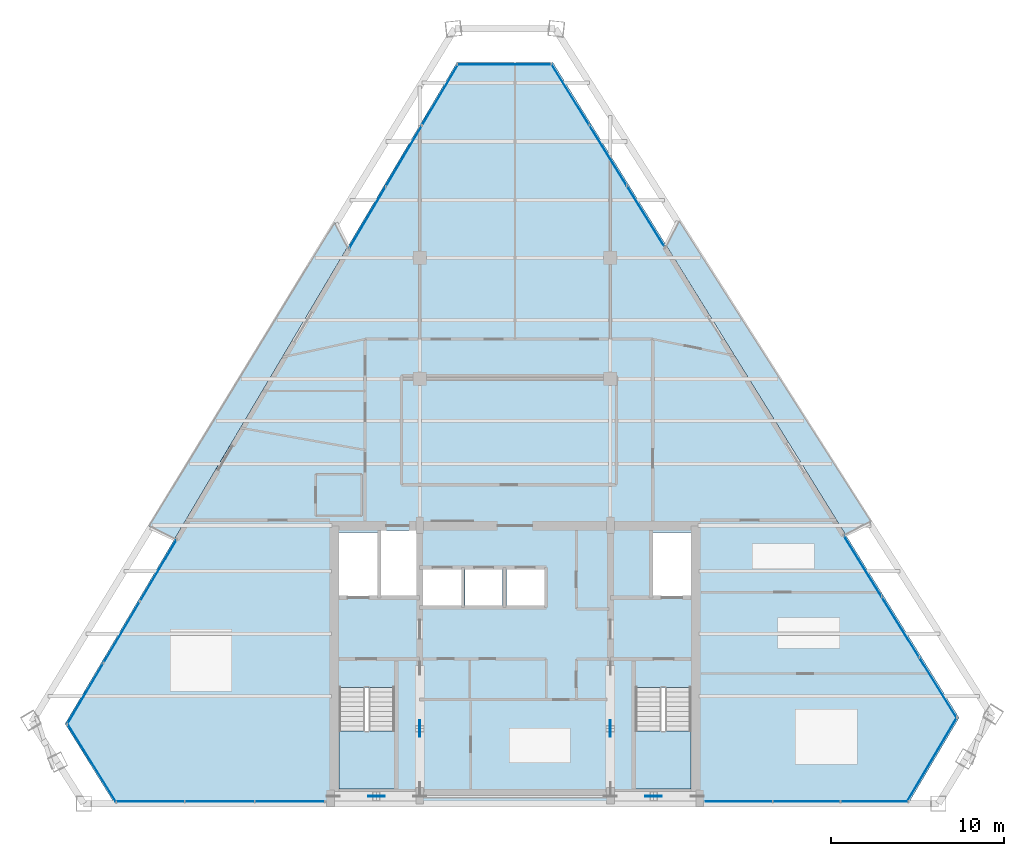
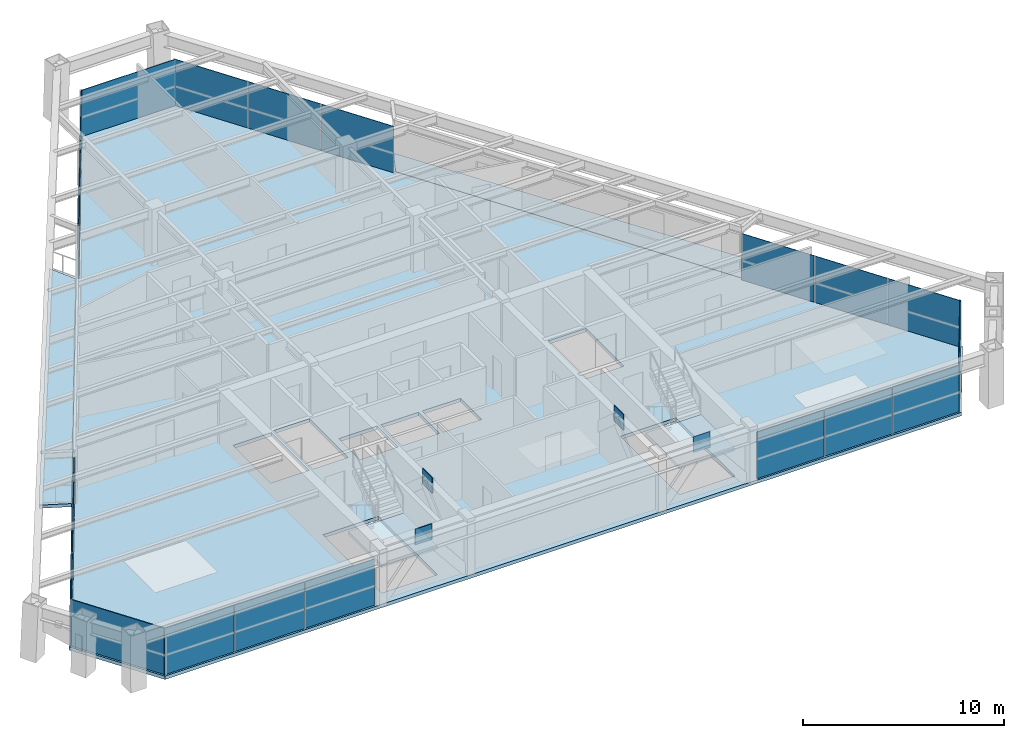
# One storey, part 7 of 12: 25 plates, 5 slabs, 11 elements without a shape of their own.
"""IFC4 building model written with IfcOpenShell, lengths in metres."""

from ifc_helpers import new_model, si_unit, direction, frame, origin, origin_2d, place, context, subcontext, project, spatial, polyline, rectangle, outline, extrude, source, transform, mapped, material, layer, layer_set, type_object, element, aggregate, save


model = new_model("IFC4")

# Units and contexts
model_context = context("Model", 3, precision=1e-05, world=origin(), true_north=direction((0.0, 1.0)))
body_context = subcontext(model_context, "Body", "Model", "MODEL_VIEW")
ifc_project = project(units=[si_unit("LENGTHUNIT", "METRE"), si_unit("AREAUNIT", "SQUARE_METRE"), si_unit("VOLUMEUNIT", "CUBIC_METRE"), si_unit("PLANEANGLEUNIT", "RADIAN"), si_unit("MASSUNIT", "GRAM", prefix="KILO")], contexts=[model_context])

# Site, building, storey
site_placement = place(None, origin())
site = spatial("IfcSite", under=ifc_project, at=site_placement, CompositionType="ELEMENT")
building_placement = place(site_placement, origin())
building = spatial("IfcBuilding", under=site, at=building_placement, Name="Varnakhor Terracotta Tower", CompositionType="ELEMENT")
storey_placement = place(building_placement, frame((0.0, 0.0, 233.800048828125)))
storey = spatial("IfcBuildingStorey", under=building, at=storey_placement, Name="L60", CompositionType="ELEMENT", Elevation=233.800048828125)

# Slab
ifc_material_1 = material(Name="Concrete C40/50", Category="concrete")
ifc_layer_1 = layer(ifc_material_1, 0.2099609375, Name="Concrete C40/50")
ifc_layer_set_1 = layer_set([ifc_layer_1], Name="Concrete C40/50")
slab_type_1 = type_object("IfcSlabType", Name="SLB-HTL-210", PredefinedType="FLOOR", material=ifc_layer_set_1)
slab_1_placement = place(storey_placement, frame((0.0, 0.0, -0.2099609375)))
element("IfcSlab", 1, at=slab_1_placement, inside=storey, type_object=slab_type_1, Name="L60 Structural Floor Slab", PredefinedType="FLOOR", context=body_context, shape_type="SweptSolid", body=[
    extrude(outline(polyline([(-25.95849609375, 4.608154296875), (-3.354736328125, 42.75830078125), (2.180908203125, 42.75830078125), (25.618896484375, 4.951904296875), (22.684814453125, 0.0), (-23.101806640625, 0.0), (-25.95849609375, 4.608154296875)]), holes=[polyline([(-6.949951171875, 0.85009765625), (-6.949951171875, 6.695068359375), (-10.14990234375, 6.695068359375), (-10.14990234375, 0.85009765625), (-6.949951171875, 0.85009765625)]), polyline([(10.14990234375, 0.85009765625), (10.14990234375, 6.695068359375), (6.949951171875, 6.695068359375), (6.949951171875, 0.85009765625), (10.14990234375, 0.85009765625)]), polyline([(-3.10009765625, 11.419921875), (-3.10009765625, 13.52001953125), (-5.300048828125, 13.52001953125), (-5.300048828125, 11.419921875), (-3.10009765625, 11.419921875)]), polyline([(-0.719970703125, 11.419921875), (-0.719970703125, 13.52001953125), (-2.8798828125, 13.52001953125), (-2.8798828125, 11.419921875), (-0.719970703125, 11.419921875)]), polyline([(1.699951171875, 11.419921875), (1.699951171875, 13.52001953125), (-0.5, 13.52001953125), (-0.5, 11.419921875), (1.699951171875, 11.419921875)]), polyline([(-7.949951171875, 11.8798828125), (-7.949951171875, 15.64990234375), (-10.14990234375, 15.64990234375), (-10.14990234375, 11.8798828125), (-7.949951171875, 11.8798828125)]), polyline([(10.14990234375, 11.8798828125), (10.14990234375, 15.64990234375), (7.949951171875, 15.64990234375), (7.949951171875, 11.8798828125), (10.14990234375, 11.8798828125)]), polyline([(-5.699951171875, 11.8798828125), (-5.699951171875, 15.75), (-7.72998046875, 15.75), (-7.72998046875, 11.8798828125), (-5.699951171875, 11.8798828125)])]), origin(), (0.0, 0.0, 1.0), 0.2099609375),
])

# Stair, slab
stair_type = type_object("IfcStairType", Name="STR-CORE-HOTEL-1500", PredefinedType="HALF_TURN_STAIR", material=ifc_material_1)
stair_1_placement = place(storey_placement, origin())
stair_1 = element("IfcStair", 2, at=stair_1_placement, inside=storey, type_object=stair_type, Name="L60 Core Exit Stair ST-1", PredefinedType="HALF_TURN_STAIR")
ifc_layer_2 = layer(ifc_material_1, 0.179931640625, Name="Concrete C40/50")
ifc_layer_set_2 = layer_set([ifc_layer_2], Name="Concrete C40/50")
slab_type_2 = type_object("IfcSlabType", Name="SLB-LANDING-180", PredefinedType="LANDING", material=ifc_layer_set_2)
slab_2_placement = place(storey_placement, frame((0.0, 0.0, 1.52490234375)))
slab_2 = element("IfcSlab", 3, at=slab_2_placement, type_object=slab_type_2, Name="ST-1 landing 1", PredefinedType="LANDING", context=body_context, shape_type="SweptSolid", body=[
    extrude(outline(polyline([(-10.14990234375, 4.18994140625), (-10.14990234375, 0.85009765625), (-6.949951171875, 0.85009765625), (-6.949951171875, 4.18994140625), (-10.14990234375, 4.18994140625)])), origin(), (0.0, 0.0, 1.0), 0.199951171875),
])
aggregate(stair_1, [slab_2])

stair_2_placement = place(storey_placement, origin())
stair_2 = element("IfcStair", 4, at=stair_2_placement, inside=storey, type_object=stair_type, Name="L60 Core Exit Stair ST-2", PredefinedType="HALF_TURN_STAIR")
slab_3_placement = place(storey_placement, frame((0.0, 0.0, 1.52490234375)))
slab_3 = element("IfcSlab", 5, at=slab_3_placement, type_object=slab_type_2, Name="ST-2 landing 1", PredefinedType="LANDING", context=body_context, shape_type="SweptSolid", body=[
    extrude(outline(polyline([(6.949951171875, 4.18994140625), (6.949951171875, 0.85009765625), (10.14990234375, 0.85009765625), (10.14990234375, 4.18994140625), (6.949951171875, 4.18994140625)])), origin(), (0.0, 0.0, 1.0), 0.199951171875),
])
aggregate(stair_2, [slab_3])

# Slabs
ifc_layer_3 = layer(ifc_material_1, 0.195068359375, Name="Concrete C40/50")
ifc_layer_set_3 = layer_set([ifc_layer_3], Name="Concrete C40/50")
slab_type_3 = type_object("IfcSlabType", Name="SLB-LOGGIA-EXT-195", PredefinedType="FLOOR", material=ifc_layer_set_3)
slab_4_placement = place(storey_placement, frame((0.0, 0.0, -0.195068359375)))
element("IfcSlab", 6, at=slab_4_placement, inside=storey, type_object=slab_type_3, Name="L60 E Recessed Outdoor Loggia Slab", PredefinedType="FLOOR", context=body_context, shape_type="SweptSolid", body=[
    extrude(outline(polyline([(9.44775390625, 33.634033203125), (20.53369140625, 16.24365234375), (19.05615234375, 15.53759765625), (17.03564453125, 18.796875), (8.743408203125, 32.17236328125), (9.44775390625, 33.634033203125)])), origin(), (0.0, 0.0, 1.0), 0.195068359375),
])
slab_5_placement = place(storey_placement, frame((0.0, 0.0, -0.195068359375)))
element("IfcSlab", 7, at=slab_5_placement, inside=storey, type_object=slab_type_3, Name="L60 W Recessed Outdoor Loggia Slab", PredefinedType="FLOOR", context=body_context, shape_type="SweptSolid", body=[
    extrude(outline(polyline([(-21.11865234375, 15.98486328125), (-10.392578125, 33.533447265625), (-9.683837890625, 32.076171875), (-19.62939453125, 15.2900390625), (-21.11865234375, 15.98486328125)])), origin(), (0.0, 0.0, 1.0), 0.195068359375),
])

# Plates
ifc_material_2 = material(Name="Steel S460", Category="steel")
ifc_layer_4 = layer(ifc_material_2, 0.050048828125, Name="Steel S460")
ifc_layer_set_4 = layer_set([ifc_layer_4], Name="Steel S460")
plate_type_1 = type_object("IfcPlateType", Name="PLT-GUSSET-50", PredefinedType="USERDEFINED", material=ifc_layer_set_4)
shared_shape_1 = source(origin(), body_context, "Body", "SweptSolid", [
    extrude(rectangle(XDim=0.949951171875, YDim=0.044921875, at=origin_2d()), origin(), (0.0, 0.0, 1.0), 0.949951171875),
])
for number, where, z_axis, x_axis, name in (
    (8, (-8.0, 0.419921875, 2.61474609375), (0.0, 0.0, 1.0), (1.0, 0.0, 0.0), "L60 Core Brace Apex Gusset CSW"),
    (9, (8.0, 0.419921875, 2.61474609375), (0.0, 0.0, 1.0), (1.0, 0.0, 0.0), "L60 Core Brace Apex Gusset CSE"),
    (10, (-5.5, 4.324951171875, 2.61474609375), (0.0, 0.0, 1.0), (0.0, 1.0, 0.0), "L60 Core Brace Apex Gusset CWW"),
    (11, (5.5, 4.324951171875, 2.61474609375), (0.0, 0.0, 1.0), (0.0, 1.0, 0.0), "L60 Core Brace Apex Gusset CWE"),
):
    element("IfcPlate", number, at=place(storey_placement, frame(where, z_axis=z_axis, x_axis=x_axis)), inside=storey, type_object=plate_type_1, Name=name, ObjectType="GUSSET PLATE", PredefinedType="USERDEFINED", context=body_context, shape_type="MappedRepresentation", body=[
        mapped(shared_shape_1, transform((0.0, 0.0, 0.0), scale=1.0)),
    ])

# Curtain wall, plates
ifc_material_3 = material(Name="Anodised Aluminium Curtain Wall System", Category="aluminium")
curtain_wall_type = type_object("IfcCurtainWallType", Name="CW-SYS-HOTEL-LOGGIA", PredefinedType="NOTDEFINED", material=ifc_material_3)
curtain_wall_1_placement = place(storey_placement, origin())
curtain_wall_1 = element("IfcCurtainWall", 12, at=curtain_wall_1_placement, inside=storey, type_object=curtain_wall_type, Name="L60 W Facet Curtain Wall 1", PredefinedType="NOTDEFINED")
ifc_material_4 = material(Name="Solar-Control Low-E Insulated Glass Panel", Category="glass")
ifc_layer_5 = layer(ifc_material_4, 0.033935546875, Name="Solar-Control Low-E Insulated Glass Panel")
ifc_layer_set_5 = layer_set([ifc_layer_5], Name="Solar-Control Low-E Insulated Glass Panel")
plate_type_2 = type_object("IfcPlateType", Name="CWP-04", PredefinedType="CURTAIN_PANEL", material=ifc_layer_set_5)
shared_shape_2 = source(origin(), body_context, "Body", "SweptSolid", [
    extrude(rectangle(XDim=4.078857421875, YDim=0.035888671875, at=origin_2d()), origin(), (0.0, 0.0, 1.0), 2.820068359375),
])
plate_1_placement = place(storey_placement, frame((-24.790283203125, 6.344482421875, 0.0), z_axis=(0.0, 0.0, 1.0), x_axis=(0.509747315176, 0.860324168364, 0.0)))
plate_1 = element("IfcPlate", 13, at=plate_1_placement, type_object=plate_type_2, Name="L60 W Facet Curtain Wall 1 Glazed Panel 1", PredefinedType="CURTAIN_PANEL", context=body_context, shape_type="MappedRepresentation", body=[
    mapped(shared_shape_2, transform((0.0, 0.0, 0.0), scale=1.0)),
])
plate_2_placement = place(storey_placement, frame((-22.69091796875, 9.887939453125, 0.0), z_axis=(0.0, 0.0, 1.0), x_axis=(0.509747315176, 0.860324168364, 0.0)))
plate_2 = element("IfcPlate", 14, at=plate_2_placement, type_object=plate_type_2, Name="L60 W Facet Curtain Wall 1 Glazed Panel 2", PredefinedType="CURTAIN_PANEL", context=body_context, shape_type="MappedRepresentation", body=[
    mapped(shared_shape_2, transform((0.0, 0.0, 0.0), scale=1.0)),
])

curtain_wall_2_placement = place(storey_placement, origin())
curtain_wall_2 = element("IfcCurtainWall", 15, at=curtain_wall_2_placement, inside=storey, type_object=curtain_wall_type, Name="L60 W Facet Curtain Wall 2", PredefinedType="NOTDEFINED")
plate_3_placement = place(storey_placement, frame((-8.515380859375, 33.8125, 0.0), z_axis=(0.0, 0.0, 1.0), x_axis=(0.509747315176, 0.860324168364, 0.0)))
plate_3 = element("IfcPlate", 16, at=plate_3_placement, type_object=plate_type_2, Name="L60 W Facet Curtain Wall 2 Glazed Panel 1", PredefinedType="CURTAIN_PANEL", context=body_context, shape_type="MappedRepresentation", body=[
    mapped(shared_shape_2, transform((0.0, 0.0, 0.0), scale=1.0)),
])
plate_4_placement = place(storey_placement, frame((-6.416015625, 37.35595703125, 0.0), z_axis=(0.0, 0.0, 1.0), x_axis=(0.509747315176, 0.860324168364, 0.0)))
plate_4 = element("IfcPlate", 17, at=plate_4_placement, type_object=plate_type_2, Name="L60 W Facet Curtain Wall 2 Glazed Panel 2", PredefinedType="CURTAIN_PANEL", context=body_context, shape_type="MappedRepresentation", body=[
    mapped(shared_shape_2, transform((0.0, 0.0, 0.0), scale=1.0)),
])

# Plate
shared_shape_3 = source(origin(), body_context, "Body", "SweptSolid", [
    extrude(rectangle(XDim=4.07861328125, YDim=0.035888671875, at=origin_2d()), origin(), (0.0, 0.0, 1.0), 2.820068359375),
])
plate_5_placement = place(storey_placement, frame((-20.59130859375, 13.431396484375, 0.0), z_axis=(0.0, 0.0, 1.0), x_axis=(0.509747315176, 0.860324168364, 0.0)))
plate_5 = element("IfcPlate", 18, at=plate_5_placement, type_object=plate_type_2, Name="L60 W Facet Curtain Wall 1 Glazed Panel 3", PredefinedType="CURTAIN_PANEL", context=body_context, shape_type="MappedRepresentation", body=[
    mapped(shared_shape_3, transform((0.0, 0.0, 0.0), scale=1.0)),
])

aggregate(curtain_wall_1, [plate_1, plate_2, plate_5])

plate_6_placement = place(storey_placement, frame((-4.31640625, 40.8994140625, 0.0), z_axis=(0.0, 0.0, 1.0), x_axis=(0.509747315176, 0.860324168364, 0.0)))
plate_6 = element("IfcPlate", 19, at=plate_6_placement, type_object=plate_type_2, Name="L60 W Facet Curtain Wall 2 Glazed Panel 3", PredefinedType="CURTAIN_PANEL", context=body_context, shape_type="MappedRepresentation", body=[
    mapped(shared_shape_3, transform((0.0, 0.0, 0.0), scale=1.0)),
])

aggregate(curtain_wall_2, [plate_3, plate_4, plate_6])

# Curtain wall, plate
curtain_wall_3_placement = place(storey_placement, origin())
curtain_wall_3 = element("IfcCurtainWall", 20, at=curtain_wall_3_placement, inside=storey, type_object=curtain_wall_type, Name="L60 Facet Curtain Wall 2", PredefinedType="NOTDEFINED")
shared_shape_4 = source(origin(), body_context, "Body", "SweptSolid", [
    extrude(rectangle(XDim=5.435546875, YDim=0.035888671875, at=origin_2d()), origin(), (0.0, 0.0, 1.0), 2.820068359375),
])
plate_7_placement = place(storey_placement, frame((-0.5869140625, 42.63818359375, 0.0), z_axis=(0.0, 0.0, 1.0), x_axis=(1.0, 0.0, 0.0)))
plate_7 = element("IfcPlate", 21, at=plate_7_placement, type_object=plate_type_2, Name="L60 Facet Curtain Wall 2 Glazed Panel 1", PredefinedType="CURTAIN_PANEL", context=body_context, shape_type="MappedRepresentation", body=[
    mapped(shared_shape_4, transform((0.0, 0.0, 0.0), scale=1.0)),
])
aggregate(curtain_wall_3, [plate_7])

# Curtain wall, plates
curtain_wall_4_placement = place(storey_placement, origin())
curtain_wall_4 = element("IfcCurtainWall", 22, at=curtain_wall_4_placement, inside=storey, type_object=curtain_wall_type, Name="L60 E Facet Curtain Wall 1", PredefinedType="NOTDEFINED")
shared_shape_5 = source(origin(), body_context, "Body", "SweptSolid", [
    extrude(rectangle(XDim=4.091796875, YDim=0.035888671875, at=origin_2d()), origin(), (0.0, 0.0, 1.0), 2.820068359375),
])
plate_8_placement = place(storey_placement, frame((3.18310546875, 40.913818359375, 0.0), z_axis=(0.0, 0.0, 1.0), x_axis=(0.526911294497, -0.849920283163, 0.0)))
plate_8 = element("IfcPlate", 23, at=plate_8_placement, type_object=plate_type_2, Name="L60 E Facet Curtain Wall 1 Glazed Panel 1", PredefinedType="CURTAIN_PANEL", context=body_context, shape_type="MappedRepresentation", body=[
    mapped(shared_shape_5, transform((0.0, 0.0, 0.0), scale=1.0)),
])
plate_9_placement = place(storey_placement, frame((5.360107421875, 37.402099609375, 0.0), z_axis=(0.0, 0.0, 1.0), x_axis=(0.526911294497, -0.849920283163, 0.0)))
plate_9 = element("IfcPlate", 24, at=plate_9_placement, type_object=plate_type_2, Name="L60 E Facet Curtain Wall 1 Glazed Panel 2", PredefinedType="CURTAIN_PANEL", context=body_context, shape_type="MappedRepresentation", body=[
    mapped(shared_shape_5, transform((0.0, 0.0, 0.0), scale=1.0)),
])
plate_10_placement = place(storey_placement, frame((7.537109375, 33.890380859375, 0.0), z_axis=(0.0, 0.0, 1.0), x_axis=(0.526911294497, -0.849920283163, 0.0)))
plate_10 = element("IfcPlate", 25, at=plate_10_placement, type_object=plate_type_2, Name="L60 E Facet Curtain Wall 1 Glazed Panel 3", PredefinedType="CURTAIN_PANEL", context=body_context, shape_type="MappedRepresentation", body=[
    mapped(shared_shape_5, transform((0.0, 0.0, 0.0), scale=1.0)),
])
aggregate(curtain_wall_4, [plate_8, plate_9, plate_10])

curtain_wall_5_placement = place(storey_placement, origin())
curtain_wall_5 = element("IfcCurtainWall", 26, at=curtain_wall_5_placement, inside=storey, type_object=curtain_wall_type, Name="L60 E Facet Curtain Wall 2", PredefinedType="NOTDEFINED")
plate_11_placement = place(storey_placement, frame((20.05859375, 13.693115234375, 0.0), z_axis=(0.0, 0.0, 1.0), x_axis=(0.526911294497, -0.849920283163, 0.0)))
plate_11 = element("IfcPlate", 27, at=plate_11_placement, type_object=plate_type_2, Name="L60 E Facet Curtain Wall 2 Glazed Panel 1", PredefinedType="CURTAIN_PANEL", context=body_context, shape_type="MappedRepresentation", body=[
    mapped(shared_shape_5, transform((0.0, 0.0, 0.0), scale=1.0)),
])
plate_12_placement = place(storey_placement, frame((24.41259765625, 6.669921875, 0.0), z_axis=(0.0, 0.0, 1.0), x_axis=(0.526911294497, -0.849920283163, 0.0)))
plate_12 = element("IfcPlate", 28, at=plate_12_placement, type_object=plate_type_2, Name="L60 E Facet Curtain Wall 2 Glazed Panel 3", PredefinedType="CURTAIN_PANEL", context=body_context, shape_type="MappedRepresentation", body=[
    mapped(shared_shape_5, transform((0.0, 0.0, 0.0), scale=1.0)),
])
shared_shape_6 = source(origin(), body_context, "Body", "SweptSolid", [
    extrude(rectangle(XDim=4.091552734375, YDim=0.035888671875, at=origin_2d()), origin(), (0.0, 0.0, 1.0), 2.820068359375),
])
plate_13_placement = place(storey_placement, frame((22.235595703125, 10.181640625, 0.0), z_axis=(0.0, 0.0, 1.0), x_axis=(0.526911294497, -0.849920283163, 0.0)))
plate_13 = element("IfcPlate", 29, at=plate_13_placement, type_object=plate_type_2, Name="L60 E Facet Curtain Wall 2 Glazed Panel 2", PredefinedType="CURTAIN_PANEL", context=body_context, shape_type="MappedRepresentation", body=[
    mapped(shared_shape_6, transform((0.0, 0.0, 0.0), scale=1.0)),
])
aggregate(curtain_wall_5, [plate_11, plate_13, plate_12])

# Curtain wall, plate
curtain_wall_6_placement = place(storey_placement, origin())
curtain_wall_6 = element("IfcCurtainWall", 30, at=curtain_wall_6_placement, inside=storey, type_object=curtain_wall_type, Name="L60 Facet Curtain Wall 4", PredefinedType="NOTDEFINED")
shared_shape_7 = source(origin(), body_context, "Body", "SweptSolid", [
    extrude(rectangle(XDim=5.65576171875, YDim=0.035888671875, at=origin_2d()), origin(), (0.0, 0.0, 1.0), 2.820068359375),
])
plate_14_placement = place(storey_placement, frame((24.048583984375, 2.537109375, 0.0), z_axis=(0.0, 0.0, 1.0), x_axis=(-0.509747315176, -0.860324168364, 0.0)))
plate_14 = element("IfcPlate", 31, at=plate_14_placement, type_object=plate_type_2, Name="L60 Facet Curtain Wall 4 Glazed Panel 1", PredefinedType="CURTAIN_PANEL", context=body_context, shape_type="MappedRepresentation", body=[
    mapped(shared_shape_7, transform((0.0, 0.0, 0.0), scale=1.0)),
])
aggregate(curtain_wall_6, [plate_14])

# Curtain wall, plates
curtain_wall_7_placement = place(storey_placement, origin())
curtain_wall_7 = element("IfcCurtainWall", 32, at=curtain_wall_7_placement, inside=storey, type_object=curtain_wall_type, Name="L60 South Wing Curtain Wall SSE", PredefinedType="NOTDEFINED")
shared_shape_8 = source(origin(), body_context, "Body", "SweptSolid", [
    extrude(rectangle(XDim=3.861572265625, YDim=0.035888671875, at=origin_2d()), origin(), (0.0, 0.0, 1.0), 2.820068359375),
])
plate_15_placement = place(storey_placement, frame((20.72412109375, 0.1201171875, 0.0), z_axis=(0.0, 0.0, 1.0), x_axis=(-1.0, 0.0, 0.0)))
plate_15 = element("IfcPlate", 33, at=plate_15_placement, type_object=plate_type_2, Name="L60 South Wing Curtain Wall SSE Glazed Panel 1", PredefinedType="CURTAIN_PANEL", context=body_context, shape_type="MappedRepresentation", body=[
    mapped(shared_shape_8, transform((0.0, 0.0, 0.0), scale=1.0)),
])
plate_16_placement = place(storey_placement, frame((16.822509765625, 0.1201171875, 0.0), z_axis=(0.0, 0.0, 1.0), x_axis=(-1.0, 0.0, 0.0)))
plate_16 = element("IfcPlate", 34, at=plate_16_placement, type_object=plate_type_2, Name="L60 South Wing Curtain Wall SSE Glazed Panel 2", PredefinedType="CURTAIN_PANEL", context=body_context, shape_type="MappedRepresentation", body=[
    mapped(shared_shape_8, transform((0.0, 0.0, 0.0), scale=1.0)),
])
plate_17_placement = place(storey_placement, frame((12.9208984375, 0.1201171875, 0.0), z_axis=(0.0, 0.0, 1.0), x_axis=(-1.0, 0.0, 0.0)))
plate_17 = element("IfcPlate", 35, at=plate_17_placement, type_object=plate_type_2, Name="L60 South Wing Curtain Wall SSE Glazed Panel 3", PredefinedType="CURTAIN_PANEL", context=body_context, shape_type="MappedRepresentation", body=[
    mapped(shared_shape_8, transform((0.0, 0.0, 0.0), scale=1.0)),
])
aggregate(curtain_wall_7, [plate_15, plate_16, plate_17])

curtain_wall_8_placement = place(storey_placement, origin())
curtain_wall_8 = element("IfcCurtainWall", 36, at=curtain_wall_8_placement, inside=storey, type_object=curtain_wall_type, Name="L60 South Wing Curtain Wall SSW", PredefinedType="NOTDEFINED")
shared_shape_9 = source(origin(), body_context, "Body", "SweptSolid", [
    extrude(rectangle(XDim=4.00048828125, YDim=0.035888671875, at=origin_2d()), origin(), (0.0, 0.0, 1.0), 2.820068359375),
])
plate_18_placement = place(storey_placement, frame((-12.990234375, 0.1201171875, 0.0), z_axis=(0.0, 0.0, 1.0), x_axis=(-1.0, 0.0, 0.0)))
plate_18 = element("IfcPlate", 37, at=plate_18_placement, type_object=plate_type_2, Name="L60 South Wing Curtain Wall SSW Glazed Panel 1", PredefinedType="CURTAIN_PANEL", context=body_context, shape_type="MappedRepresentation", body=[
    mapped(shared_shape_9, transform((0.0, 0.0, 0.0), scale=1.0)),
])
plate_19_placement = place(storey_placement, frame((-17.031005859375, 0.1201171875, 0.0), z_axis=(0.0, 0.0, 1.0), x_axis=(-1.0, 0.0, 0.0)))
plate_19 = element("IfcPlate", 38, at=plate_19_placement, type_object=plate_type_2, Name="L60 South Wing Curtain Wall SSW Glazed Panel 2", PredefinedType="CURTAIN_PANEL", context=body_context, shape_type="MappedRepresentation", body=[
    mapped(shared_shape_9, transform((0.0, 0.0, 0.0), scale=1.0)),
])
plate_20_placement = place(storey_placement, frame((-21.0712890625, 0.1201171875, 0.0), z_axis=(0.0, 0.0, 1.0), x_axis=(-1.0, 0.0, 0.0)))
plate_20 = element("IfcPlate", 39, at=plate_20_placement, type_object=plate_type_2, Name="L60 South Wing Curtain Wall SSW Glazed Panel 3", PredefinedType="CURTAIN_PANEL", context=body_context, shape_type="MappedRepresentation", body=[
    mapped(shared_shape_9, transform((0.0, 0.0, 0.0), scale=1.0)),
])
aggregate(curtain_wall_8, [plate_18, plate_19, plate_20])

# Curtain wall, plate
curtain_wall_9_placement = place(storey_placement, origin())
curtain_wall_9 = element("IfcCurtainWall", 40, at=curtain_wall_9_placement, inside=storey, type_object=curtain_wall_type, Name="L60 Facet Curtain Wall 6", PredefinedType="NOTDEFINED")
shared_shape_10 = source(origin(), body_context, "Body", "SweptSolid", [
    extrude(rectangle(XDim=5.32177734375, YDim=0.035888671875, at=origin_2d()), origin(), (0.0, 0.0, 1.0), 2.820068359375),
])
plate_21_placement = place(storey_placement, frame((-24.427978515625, 2.3671875, 0.0), z_axis=(0.0, 0.0, 1.0), x_axis=(-0.526911294497, 0.849920283163, 0.0)))
plate_21 = element("IfcPlate", 41, at=plate_21_placement, type_object=plate_type_2, Name="L60 Facet Curtain Wall 6 Glazed Panel 1", PredefinedType="CURTAIN_PANEL", context=body_context, shape_type="MappedRepresentation", body=[
    mapped(shared_shape_10, transform((0.0, 0.0, 0.0), scale=1.0)),
])
aggregate(curtain_wall_9, [plate_21])

save(model, "model.ifc")
